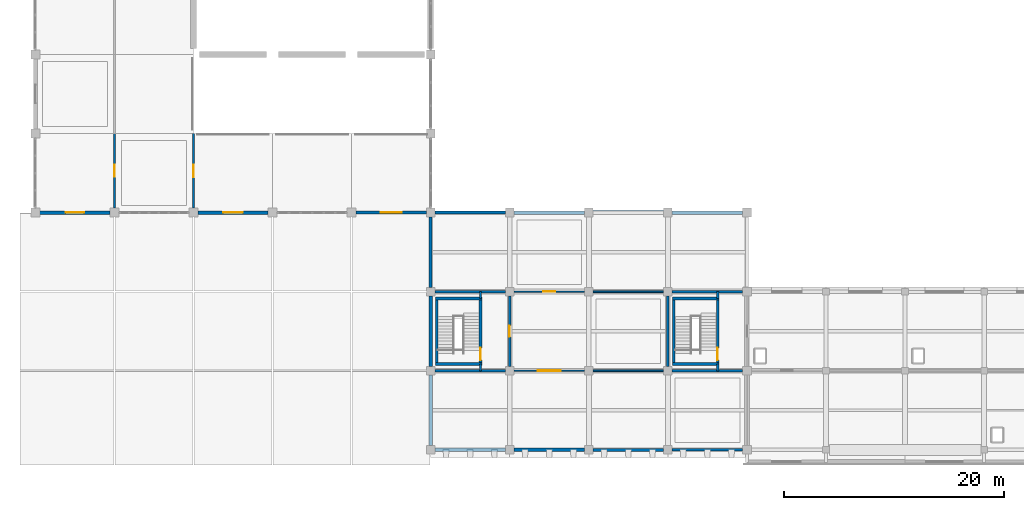
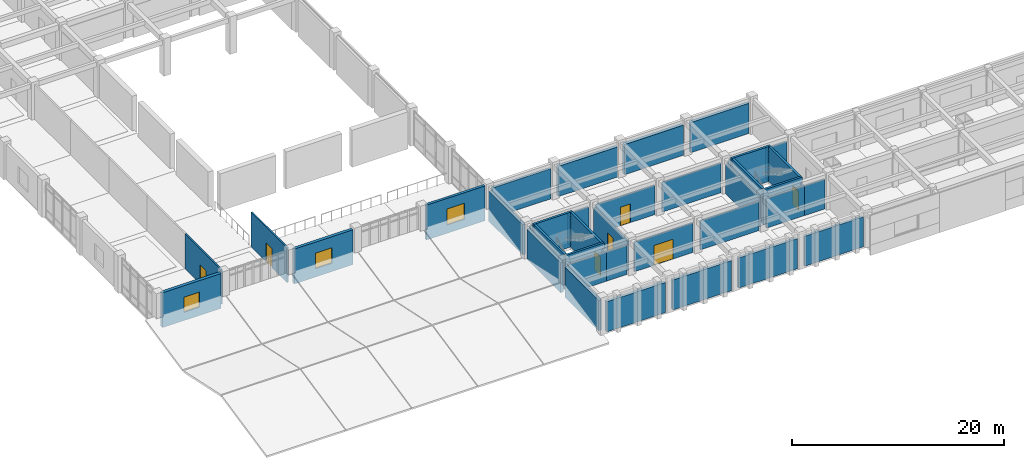
# One storey, part 50 of 70: 42 walls, 7 doors, 3 windows, 10 openings.
"""IFC4 building model written with IfcOpenShell, lengths in metres."""

from ifc_helpers import new_model, si_unit, direction, frame, frame_2d, origin, place, context, subcontext, project, spatial, rectangle, extrude, material, layer, layer_set, type_object, element, fill, save


model = new_model("IFC4")

# Units and contexts
model_context = context("Model", 3, precision=1e-05, world=origin(), true_north=direction((0.0, 1.0)))
body_context = subcontext(model_context, "Body", "Model", "MODEL_VIEW")
ifc_project = project(units=[si_unit("LENGTHUNIT", "METRE"), si_unit("AREAUNIT", "SQUARE_METRE"), si_unit("VOLUMEUNIT", "CUBIC_METRE"), si_unit("PLANEANGLEUNIT", "RADIAN"), si_unit("MASSUNIT", "GRAM", prefix="KILO")], contexts=[model_context])

# Site, building, storey
site_placement = place(None, origin())
site = spatial("IfcSite", under=ifc_project, at=site_placement, CompositionType="ELEMENT")
building_placement = place(site_placement, origin())
building = spatial("IfcBuilding", under=site, at=building_placement, Name="Kavelor Marine Aquarium", CompositionType="ELEMENT")
storey_placement = place(building_placement, frame((0.0, 0.0, 9.179931640625)))
storey = spatial("IfcBuildingStorey", under=building, at=storey_placement, Name="L02", CompositionType="ELEMENT", Elevation=9.179931640625)

# Wall
ifc_material_1 = material(Name="Concrete C45/55", Category="concrete")
ifc_layer_1 = layer(ifc_material_1, 0.360107421875)
ifc_layer_set_1 = layer_set([ifc_layer_1], Name="WL-EX1")
wall_type_1 = type_object("IfcWallType", Name="WL-EX1", PredefinedType="STANDARD", material=ifc_layer_set_1)
wall_1_placement = place(storey_placement, frame((53.9951171875, 24.39990234375, 0.0), z_axis=(0.0, 0.0, 1.0), x_axis=(1.0, 0.0, 0.0)))
element("IfcWall", 1, at=wall_1_placement, inside=storey, type_object=wall_type_1, Name="ew:x:L02:07_03", PredefinedType="STANDARD", context=body_context, shape_type="SweptSolid", body=[
    extrude(rectangle(XDim=6.409912109375, YDim=0.360107421875, at=frame_2d((3.205078125, 0.0))), origin(), (0.0, 0.0, 1.0), 3.47998046875),
])

# Wall, opening, window
ifc_material_2 = material(Name="Concrete C45/55", Category="concrete")
ifc_layer_2 = layer(ifc_material_2, 0.320068359375)
ifc_layer_set_2 = layer_set([ifc_layer_2], Name="WL-EX2")
wall_type_2 = type_object("IfcWallType", Name="WL-EX2", PredefinedType="STANDARD", material=ifc_layer_set_2)
wall_2_placement = place(storey_placement, frame((24.405029296875, 24.39990234375, 0.0), z_axis=(0.0, 0.0, 1.0), x_axis=(-1.0, 0.0, 0.0)))
wall_2 = element("IfcWall", 2, at=wall_2_placement, inside=storey, type_object=wall_type_2, Name="ew:x:L02:02_03", PredefinedType="STANDARD", context=body_context, shape_type="SweptSolid", body=[
    extrude(rectangle(XDim=6.409912109375, YDim=0.320068359375, at=frame_2d((3.205078125, 0.0))), origin(), (0.0, 0.0, 1.0), 4.02001953125),
])
opening_1_placement = place(wall_2_placement, frame((2.304931640625, 0.0, 0.949951171875)))
opening_1 = element("IfcOpeningElement", 3, at=opening_1_placement, cuts=wall_2, Name="Opening W08", PredefinedType="OPENING", context=body_context, shape_type="SweptSolid", body=[
    extrude(rectangle(XDim=1.800048828125, YDim=1.800048828125, at=frame_2d((0.89990234375, 0.89990234375))), frame((0.0, 0.169921875, 0.0), z_axis=(0.0, -1.0, 0.0), x_axis=(1.0, 0.0, 0.0)), (0.0, 0.0, 1.0), 0.340068),
])
ifc_material_3 = material(Name="Anodised Aluminium Frame with Low-E Double Glazing", Category="aluminium")
window_type_1 = type_object("IfcWindowType", Name="WIN-W08", PartitioningType="DOUBLE_PANEL_VERTICAL", PredefinedType="WINDOW", material=ifc_material_3)
window_1_placement = place(opening_1_placement, origin())
window_1 = element("IfcWindow", 4, at=window_1_placement, inside=storey, type_object=window_type_1, Name="win:x:L02:02_03", OverallHeight=1.800048828125, OverallWidth=1.800048828125, PartitioningType="SINGLE_PANEL", PredefinedType="WINDOW", context=body_context, shape_type="SweptSolid", body=[
    extrude(rectangle(XDim=1.800048828125, YDim=1.800048828125, at=frame_2d((0.89990234375, 0.89990234375))), frame((0.0, 0.030029296875, 0.0), z_axis=(0.0, -1.0, 0.0), x_axis=(1.0, 0.0, 0.0)), (0.0, 0.0, 1.0), 0.06005859375),
])
fill(opening_1, window_1)

# Walls
for number, where, z_axis, x_axis, name in (
    (5, (46.0048828125, 2.800048828125, 0.0), (0.0, 0.0, 1.0), (-1.0, 0.0, 0.0), "ew:x:L02:05_00"),
    (6, (61.195068359375, 24.39990234375, 0.0), (0.0, 0.0, 1.0), (1.0, 0.0, 0.0), "ew:x:L02:08_03"),
    (7, (39.199951171875, 3.195068359375, 0.0), (0.0, 0.0, 1.0), (0.0, 1.0, 0.0), "ew:y:L02:05_00"),
):
    element("IfcWall", number, at=place(storey_placement, frame(where, z_axis=z_axis, x_axis=x_axis)), inside=storey, type_object=wall_type_2, Name=name, PredefinedType="STANDARD", context=body_context, shape_type="SweptSolid", body=[
        extrude(rectangle(XDim=6.409912109375, YDim=0.320068359375, at=frame_2d((3.205078125, 0.0))), origin(), (0.0, 0.0, 1.0), 3.47998046875),
    ])
ifc_material_4 = material(Name="Concrete C40/50", Category="concrete")
ifc_layer_3 = layer(ifc_material_4, 0.300048828125)
ifc_layer_set_3 = layer_set([ifc_layer_3], Name="WL-EX3")
wall_type_3 = type_object("IfcWallType", Name="WL-EX3", PredefinedType="STANDARD", material=ifc_layer_set_3)
wall_3_placement = place(storey_placement, frame((53.205078125, 2.800048828125, 0.0), z_axis=(0.0, 0.0, 1.0), x_axis=(-1.0, 0.0, 0.0)))
element("IfcWall", 8, at=wall_3_placement, inside=storey, type_object=wall_type_3, Name="ew:x:L02:06_00", PredefinedType="STANDARD", context=body_context, shape_type="SweptSolid", body=[
    extrude(rectangle(XDim=6.41015625, YDim=0.300048828125, at=frame_2d((3.205078125, 0.0))), origin(), (0.0, 0.0, 1.0), 3.4599609375),
])
wall_4_placement = place(storey_placement, frame((39.199951171875, 10.39501953125, 0.0), z_axis=(0.0, 0.0, 1.0), x_axis=(0.0, 1.0, 0.0)))
element("IfcWall", 9, at=wall_4_placement, inside=storey, type_object=wall_type_3, Name="ew:y:L02:05_01", PredefinedType="STANDARD", context=body_context, shape_type="SweptSolid", body=[
    extrude(rectangle(XDim=6.409912109375, YDim=0.300048828125, at=frame_2d((3.205078125, 0.0))), origin(), (0.0, 0.0, 1.0), 3.4599609375),
])

# Wall, opening, window
ifc_material_5 = material(Name="Concrete C40/50", Category="concrete")
ifc_layer_4 = layer(ifc_material_5, 0.280029296875)
ifc_layer_set_4 = layer_set([ifc_layer_4], Name="WL-EX4")
wall_type_4 = type_object("IfcWallType", Name="WL-EX4", PredefinedType="STANDARD", material=ifc_layer_set_4)
wall_5_placement = place(storey_placement, frame((38.804931640625, 24.39990234375, 0.0), z_axis=(0.0, 0.0, 1.0), x_axis=(-1.0, 0.0, 0.0)))
wall_5 = element("IfcWall", 10, at=wall_5_placement, inside=storey, type_object=wall_type_4, Name="ew:x:L02:04_03", PredefinedType="STANDARD", context=body_context, shape_type="SweptSolid", body=[
    extrude(rectangle(XDim=6.409912109375, YDim=0.280029296875, at=frame_2d((3.205078125, 0.0))), origin(), (0.0, 0.0, 1.0), 4.02001953125),
])
opening_2_placement = place(wall_5_placement, frame((2.2548828125, 0.0, 0.949951171875)))
opening_2 = element("IfcOpeningElement", 11, at=opening_2_placement, cuts=wall_5, Name="Opening W09", PredefinedType="OPENING", context=body_context, shape_type="SweptSolid", body=[
    extrude(rectangle(XDim=1.89990234375, YDim=1.85009765625, at=frame_2d((0.949951171875, 0.925048828125))), frame((0.0, 0.14990234375, 0.0), z_axis=(0.0, -1.0, 0.0), x_axis=(1.0, 0.0, 0.0)), (0.0, 0.0, 1.0), 0.300029),
])
ifc_material_6 = material(Name="Anodised Aluminium Frame with Low-E Double Glazing", Category="aluminium")
window_type_2 = type_object("IfcWindowType", Name="WIN-W09", PartitioningType="DOUBLE_PANEL_VERTICAL", PredefinedType="WINDOW", material=ifc_material_6)
window_2_placement = place(opening_2_placement, origin())
window_2 = element("IfcWindow", 12, at=window_2_placement, inside=storey, type_object=window_type_2, Name="win:x:L02:04_03", OverallHeight=1.85009765625, OverallWidth=1.89990234375, PartitioningType="SINGLE_PANEL", PredefinedType="WINDOW", context=body_context, shape_type="SweptSolid", body=[
    extrude(rectangle(XDim=1.89990234375, YDim=1.85009765625, at=frame_2d((0.949951171875, 0.925048828125))), frame((0.0, 0.030029296875, 0.0), z_axis=(0.0, -1.0, 0.0), x_axis=(1.0, 0.0, 0.0)), (0.0, 0.0, 1.0), 0.06005859375),
])
fill(opening_2, window_2)

# Walls
for number, where, z_axis, x_axis, name in (
    (13, (60.405029296875, 2.800048828125, 0.0), (0.0, 0.0, 1.0), (-1.0, 0.0, 0.0), "ew:x:L02:07_00"),
    (14, (39.199951171875, 17.594970703125, 0.0), (0.0, 0.0, 1.0), (0.0, 1.0, 0.0), "ew:y:L02:05_02"),
):
    element("IfcWall", number, at=place(storey_placement, frame(where, z_axis=z_axis, x_axis=x_axis)), inside=storey, type_object=wall_type_4, Name=name, PredefinedType="STANDARD", context=body_context, shape_type="SweptSolid", body=[
        extrude(rectangle(XDim=6.409912109375, YDim=0.280029296875, at=frame_2d((3.205078125, 0.0))), origin(), (0.0, 0.0, 1.0), 3.47998046875),
    ])
ifc_material_7 = material(Name="Concrete C40/50", Category="concrete")
ifc_layer_5 = layer(ifc_material_7, 0.260009765625)
ifc_layer_set_5 = layer_set([ifc_layer_5], Name="WL-EX5")
wall_type_5 = type_object("IfcWallType", Name="WL-EX5", PredefinedType="STANDARD", material=ifc_layer_set_5)
wall_6_placement = place(storey_placement, frame((39.594970703125, 24.39990234375, 0.0), z_axis=(0.0, 0.0, 1.0), x_axis=(1.0, 0.0, 0.0)))
element("IfcWall", 15, at=wall_6_placement, inside=storey, type_object=wall_type_5, Name="ew:x:L02:05_03", PredefinedType="STANDARD", context=body_context, shape_type="SweptSolid", body=[
    extrude(rectangle(XDim=6.409912109375, YDim=0.260009765625, at=frame_2d((3.205078125, 0.0))), origin(), (0.0, 0.0, 1.0), 3.47998046875),
])
wall_7_placement = place(storey_placement, frame((67.60498046875, 2.800048828125, 0.0), z_axis=(0.0, 0.0, 1.0), x_axis=(-1.0, 0.0, 0.0)))
element("IfcWall", 16, at=wall_7_placement, inside=storey, type_object=wall_type_5, Name="ew:x:L02:08_00", PredefinedType="STANDARD", context=body_context, shape_type="SweptSolid", body=[
    extrude(rectangle(XDim=6.409912109375, YDim=0.260009765625, at=frame_2d((3.205078125, 0.0))), origin(), (0.0, 0.0, 1.0), 3.4599609375),
])

# Wall, opening, window
ifc_material_8 = material(Name="Concrete C45/55", Category="concrete")
ifc_layer_6 = layer(ifc_material_8, 0.340087890625)
ifc_layer_set_6 = layer_set([ifc_layer_6], Name="WL-EX6")
wall_type_6 = type_object("IfcWallType", Name="WL-EX6", PredefinedType="STANDARD", material=ifc_layer_set_6)
wall_8_placement = place(storey_placement, frame((10.0048828125, 24.39990234375, 0.0), z_axis=(0.0, 0.0, 1.0), x_axis=(-1.0, 0.0, 0.0)))
wall_8 = element("IfcWall", 17, at=wall_8_placement, inside=storey, type_object=wall_type_6, Name="ew:x:L02:00_03", PredefinedType="STANDARD", context=body_context, shape_type="SweptSolid", body=[
    extrude(rectangle(XDim=6.409912109375, YDim=0.340087890625, at=frame_2d((3.205078125, 0.0))), origin(), (0.0, 0.0, 1.0), 4.02001953125),
])
opening_3_placement = place(wall_8_placement, frame((2.35498046875, 0.0, 0.949951171875)))
opening_3 = element("IfcOpeningElement", 18, at=opening_3_placement, cuts=wall_8, Name="Opening W07", PredefinedType="OPENING", context=body_context, shape_type="SweptSolid", body=[
    extrude(rectangle(XDim=1.699951171875, YDim=1.75, at=frame_2d((0.85009765625, 0.875))), frame((0.0, 0.179931640625, 0.0), z_axis=(0.0, -1.0, 0.0), x_axis=(1.0, 0.0, 0.0)), (0.0, 0.0, 1.0), 0.360088),
])
ifc_material_9 = material(Name="Anodised Aluminium Frame with Low-E Double Glazing", Category="aluminium")
window_type_3 = type_object("IfcWindowType", Name="WIN-W07", PartitioningType="SINGLE_PANEL", PredefinedType="WINDOW", material=ifc_material_9)
window_3_placement = place(opening_3_placement, origin())
window_3 = element("IfcWindow", 19, at=window_3_placement, inside=storey, type_object=window_type_3, Name="win:x:L02:00_03", OverallHeight=1.75, OverallWidth=1.699951171875, PartitioningType="SINGLE_PANEL", PredefinedType="WINDOW", context=body_context, shape_type="SweptSolid", body=[
    extrude(rectangle(XDim=1.699951171875, YDim=1.75, at=frame_2d((0.85009765625, 0.875))), frame((0.0, 0.030029296875, 0.0), z_axis=(0.0, -1.0, 0.0), x_axis=(1.0, 0.0, 0.0)), (0.0, 0.0, 1.0), 0.06005859375),
])
fill(opening_3, window_3)

# Walls
wall_9_placement = place(storey_placement, frame((46.794921875, 24.39990234375, 0.0), z_axis=(0.0, 0.0, 1.0), x_axis=(1.0, 0.0, 0.0)))
element("IfcWall", 20, at=wall_9_placement, inside=storey, type_object=wall_type_6, Name="ew:x:L02:06_03", PredefinedType="STANDARD", context=body_context, shape_type="SweptSolid", body=[
    extrude(rectangle(XDim=6.41015625, YDim=0.340087890625, at=frame_2d((3.205078125, 0.0))), origin(), (0.0, 0.0, 1.0), 3.47998046875),
])
ifc_material_10 = material(Name="Concrete Blockwork Partition", Category="masonry")
ifc_layer_7 = layer(ifc_material_10, 0.199951171875)
ifc_layer_set_7 = layer_set([ifc_layer_7], Name="WL-PT1")
wall_type_7 = type_object("IfcWallType", Name="WL-PT1", PredefinedType="PARTITIONING", material=ifc_layer_set_7)
wall_10_placement = place(storey_placement, frame((43.739990234375, 10.0, 0.0), z_axis=(0.0, 0.0, 1.0), x_axis=(0.0, 1.0, 0.0)))
element("IfcWall", 21, at=wall_10_placement, inside=storey, type_object=wall_type_7, Name="pt:st_close:s:C04:L02", PredefinedType="PARTITIONING", context=body_context, shape_type="SweptSolid", body=[
    extrude(rectangle(XDim=0.6201171875, YDim=0.199951171875, at=frame_2d((0.31005859375, 0.0))), origin(), (0.0, 0.0, 1.0), 3.360107421875),
])
wall_11_placement = place(storey_placement, frame((43.739990234375, 16.580078125, 0.0), z_axis=(0.0, 0.0, 1.0), x_axis=(0.0, 1.0, 0.0)))
element("IfcWall", 22, at=wall_11_placement, inside=storey, type_object=wall_type_7, Name="pt:st_close:n:C04:L02", PredefinedType="PARTITIONING", context=body_context, shape_type="SweptSolid", body=[
    extrude(rectangle(XDim=0.619873046875, YDim=0.199951171875, at=frame_2d((0.31005859375, 0.0))), origin(), (0.0, 0.0, 1.0), 3.41015625),
])

# Wall, opening, door
wall_12_placement = place(storey_placement, frame((46.39990234375, 10.39990234375, 0.0), z_axis=(0.0, 0.0, 1.0), x_axis=(0.0, 1.0, 0.0)))
wall_12 = element("IfcWall", 23, at=wall_12_placement, inside=storey, type_object=wall_type_7, Name="pt:lob:C04:L02:e", PredefinedType="PARTITIONING", context=body_context, shape_type="SweptSolid", body=[
    extrude(rectangle(XDim=6.400146484375, YDim=0.199951171875, at=frame_2d((3.2001953125, 0.0))), origin(), (0.0, 0.0, 1.0), 3.41015625),
])
opening_4_placement = place(wall_12_placement, frame((2.68994140625, 0.0, 0.0)))
opening_4 = element("IfcOpeningElement", 24, at=opening_4_placement, cuts=wall_12, Name="Opening SD1", PredefinedType="OPENING", context=body_context, shape_type="SweptSolid", body=[
    extrude(rectangle(XDim=1.02001953125, YDim=2.14990234375, at=frame_2d((0.510009765625, 1.074951171875))), frame((0.0, 0.10986328125, 0.0), z_axis=(0.0, -1.0, 0.0), x_axis=(1.0, 0.0, 0.0)), (0.0, 0.0, 1.0), 0.219951),
])
ifc_material_11 = material(Name="Fire-Rated Corridor Compartment Door")
door_type_1 = type_object("IfcDoorType", Name="DR-SD1", OperationType="NOTDEFINED", PredefinedType="DOOR", material=ifc_material_11)
door_1_placement = place(opening_4_placement, origin())
door_1 = element("IfcDoor", 25, at=door_1_placement, inside=storey, type_object=door_type_1, Name="Core Lobby Fire Door C04-L02", OperationType="SINGLE_SWING_RIGHT", OverallHeight=2.14990234375, OverallWidth=1.02001953125, PredefinedType="DOOR", context=body_context, shape_type="SweptSolid", body=[
    extrude(rectangle(XDim=1.02001953125, YDim=2.14990234375, at=frame_2d((0.510009765625, 1.074951171875))), frame((0.0, 0.02490234375, 0.0), z_axis=(0.0, -1.0, 0.0), x_axis=(1.0, 0.0, 0.0)), (0.0, 0.0, 1.0), 0.050048828125),
])
fill(opening_4, door_1)

# Walls
wall_13_placement = place(storey_placement, frame((39.60009765625, 10.0, 0.0), z_axis=(0.0, 0.0, 1.0), x_axis=(1.0, 0.0, 0.0)))
element("IfcWall", 26, at=wall_13_placement, inside=storey, type_object=wall_type_7, Name="pt:lob:C04:L02:s_st", PredefinedType="PARTITIONING", context=body_context, shape_type="SweptSolid", body=[
    extrude(rectangle(XDim=4.139892578125, YDim=0.199951171875, at=frame_2d((2.06982421875, 0.0))), origin(), (0.0, 0.0, 1.0), 3.360107421875),
])
wall_14_placement = place(storey_placement, frame((43.739990234375, 10.0, 0.0), z_axis=(0.0, 0.0, 1.0), x_axis=(1.0, 0.0, 0.0)))
element("IfcWall", 27, at=wall_14_placement, inside=storey, type_object=wall_type_7, Name="pt:lob:C04:L02:s", PredefinedType="PARTITIONING", context=body_context, shape_type="SweptSolid", body=[
    extrude(rectangle(XDim=2.260009765625, YDim=0.199951171875, at=frame_2d((1.1298828125, 0.0))), origin(), (0.0, 0.0, 1.0), 3.360107421875),
])
wall_15_placement = place(storey_placement, frame((39.60009765625, 17.199951171875, 0.0), z_axis=(0.0, 0.0, 1.0), x_axis=(1.0, 0.0, 0.0)))
element("IfcWall", 28, at=wall_15_placement, inside=storey, type_object=wall_type_7, Name="pt:lob:C04:L02:n_st", PredefinedType="PARTITIONING", context=body_context, shape_type="SweptSolid", body=[
    extrude(rectangle(XDim=4.139892578125, YDim=0.199951171875, at=frame_2d((2.06982421875, 0.0))), origin(), (0.0, 0.0, 1.0), 3.41015625),
])
wall_16_placement = place(storey_placement, frame((43.739990234375, 17.199951171875, 0.0), z_axis=(0.0, 0.0, 1.0), x_axis=(1.0, 0.0, 0.0)))
element("IfcWall", 29, at=wall_16_placement, inside=storey, type_object=wall_type_7, Name="pt:lob:C04:L02:n", PredefinedType="PARTITIONING", context=body_context, shape_type="SweptSolid", body=[
    extrude(rectangle(XDim=2.260009765625, YDim=0.199951171875, at=frame_2d((1.1298828125, 0.0))), origin(), (0.0, 0.0, 1.0), 3.41015625),
])
wall_17_placement = place(storey_placement, frame((65.340087890625, 10.0, 0.0), z_axis=(0.0, 0.0, 1.0), x_axis=(0.0, 1.0, 0.0)))
element("IfcWall", 30, at=wall_17_placement, inside=storey, type_object=wall_type_7, Name="pt:st_close:s:C12:L02", PredefinedType="PARTITIONING", context=body_context, shape_type="SweptSolid", body=[
    extrude(rectangle(XDim=0.6201171875, YDim=0.199951171875, at=frame_2d((0.31005859375, 0.0))), origin(), (0.0, 0.0, 1.0), 3.41015625),
])
wall_18_placement = place(storey_placement, frame((65.340087890625, 16.580078125, 0.0), z_axis=(0.0, 0.0, 1.0), x_axis=(0.0, 1.0, 0.0)))
element("IfcWall", 31, at=wall_18_placement, inside=storey, type_object=wall_type_7, Name="pt:st_close:n:C12:L02", PredefinedType="PARTITIONING", context=body_context, shape_type="SweptSolid", body=[
    extrude(rectangle(XDim=0.619873046875, YDim=0.199951171875, at=frame_2d((0.31005859375, 0.0))), origin(), (0.0, 0.0, 1.0), 3.380126953125),
])
wall_19_placement = place(storey_placement, frame((60.800048828125, 10.39990234375, 0.0), z_axis=(0.0, 0.0, 1.0), x_axis=(0.0, 1.0, 0.0)))
element("IfcWall", 32, at=wall_19_placement, inside=storey, type_object=wall_type_7, Name="pt:lob:C12:L02:w", PredefinedType="PARTITIONING", context=body_context, shape_type="SweptSolid", body=[
    extrude(rectangle(XDim=6.400146484375, YDim=0.199951171875, at=frame_2d((3.2001953125, 0.0))), origin(), (0.0, 0.0, 1.0), 3.41015625),
])
wall_20_placement = place(storey_placement, frame((61.199951171875, 10.0, 0.0), z_axis=(0.0, 0.0, 1.0), x_axis=(1.0, 0.0, 0.0)))
element("IfcWall", 33, at=wall_20_placement, inside=storey, type_object=wall_type_7, Name="pt:lob:C12:L02:s_st", PredefinedType="PARTITIONING", context=body_context, shape_type="SweptSolid", body=[
    extrude(rectangle(XDim=4.14013671875, YDim=0.199951171875, at=frame_2d((2.070068359375, 0.0))), origin(), (0.0, 0.0, 1.0), 3.41015625),
])
wall_21_placement = place(storey_placement, frame((65.340087890625, 10.0, 0.0), z_axis=(0.0, 0.0, 1.0), x_axis=(1.0, 0.0, 0.0)))
element("IfcWall", 34, at=wall_21_placement, inside=storey, type_object=wall_type_7, Name="pt:lob:C12:L02:s", PredefinedType="PARTITIONING", context=body_context, shape_type="SweptSolid", body=[
    extrude(rectangle(XDim=2.260009765625, YDim=0.199951171875, at=frame_2d((1.1298828125, 0.0))), origin(), (0.0, 0.0, 1.0), 3.41015625),
])
wall_22_placement = place(storey_placement, frame((61.199951171875, 17.199951171875, 0.0), z_axis=(0.0, 0.0, 1.0), x_axis=(1.0, 0.0, 0.0)))
element("IfcWall", 35, at=wall_22_placement, inside=storey, type_object=wall_type_7, Name="pt:lob:C12:L02:n_st", PredefinedType="PARTITIONING", context=body_context, shape_type="SweptSolid", body=[
    extrude(rectangle(XDim=4.14013671875, YDim=0.199951171875, at=frame_2d((2.070068359375, 0.0))), origin(), (0.0, 0.0, 1.0), 3.380126953125),
])
wall_23_placement = place(storey_placement, frame((65.340087890625, 17.199951171875, 0.0), z_axis=(0.0, 0.0, 1.0), x_axis=(1.0, 0.0, 0.0)))
element("IfcWall", 36, at=wall_23_placement, inside=storey, type_object=wall_type_7, Name="pt:lob:C12:L02:n", PredefinedType="PARTITIONING", context=body_context, shape_type="SweptSolid", body=[
    extrude(rectangle(XDim=2.260009765625, YDim=0.199951171875, at=frame_2d((1.1298828125, 0.0))), origin(), (0.0, 0.0, 1.0), 3.380126953125),
])

# Wall, opening, door
ifc_material_12 = material(Name="Acoustic Gypsum Stud Partition")
ifc_layer_8 = layer(ifc_material_12, 0.159912109375)
ifc_layer_set_8 = layer_set([ifc_layer_8], Name="WL-PT2")
wall_type_8 = type_object("IfcWallType", Name="WL-PT2", PredefinedType="PARTITIONING", material=ifc_layer_set_8)
wall_24_placement = place(storey_placement, frame((10.39990234375, 24.800048828125, 0.0), z_axis=(0.0, 0.0, 1.0), x_axis=(0.0, 1.0, 0.0)))
wall_24 = element("IfcWall", 37, at=wall_24_placement, inside=storey, type_object=wall_type_8, Name="pt:y:L02:00_03", PredefinedType="PARTITIONING", context=body_context, shape_type="SweptSolid", body=[
    extrude(rectangle(XDim=6.800048828125, YDim=0.159912109375, at=frame_2d((3.39990234375, 0.0))), origin(), (0.0, 0.0, 1.0), 4.0),
])
opening_5_placement = place(wall_24_placement, frame((2.860107421875, 0.0, 0.0)))
opening_5 = element("IfcOpeningElement", 38, at=opening_5_placement, cuts=wall_24, Name="Opening D08", PredefinedType="OPENING", context=body_context, shape_type="SweptSolid", body=[
    extrude(rectangle(XDim=1.080078125, YDim=2.159912109375, at=frame_2d((0.5400390625, 1.080078125))), frame((0.0, 0.08984375, 0.0), z_axis=(0.0, -1.0, 0.0), x_axis=(1.0, 0.0, 0.0)), (0.0, 0.0, 1.0), 0.179912),
])
ifc_material_13 = material(Name="Discovery Wet Lab Vision Door")
door_type_2 = type_object("IfcDoorType", Name="DR-D08", OperationType="NOTDEFINED", PredefinedType="DOOR", material=ifc_material_13)
door_2_placement = place(opening_5_placement, origin())
door_2 = element("IfcDoor", 39, at=door_2_placement, inside=storey, type_object=door_type_2, Name="dr:rm:pt:y:L02:00_03:0", OperationType="SINGLE_SWING_LEFT", OverallHeight=2.159912109375, OverallWidth=1.080078125, PredefinedType="DOOR", context=body_context, shape_type="SweptSolid", body=[
    extrude(rectangle(XDim=1.080078125, YDim=2.159912109375, at=frame_2d((0.5400390625, 1.080078125))), frame((0.0, 0.02490234375, 0.0), z_axis=(0.0, -1.0, 0.0), x_axis=(1.0, 0.0, 0.0)), (0.0, 0.0, 1.0), 0.050048828125),
])
fill(opening_5, door_2)

wall_25_placement = place(storey_placement, frame((17.60009765625, 24.800048828125, 0.0), z_axis=(0.0, 0.0, 1.0), x_axis=(0.0, 1.0, 0.0)))
wall_25 = element("IfcWall", 40, at=wall_25_placement, inside=storey, type_object=wall_type_8, Name="pt:y:L02:01_03", PredefinedType="PARTITIONING", context=body_context, shape_type="SweptSolid", body=[
    extrude(rectangle(XDim=6.800048828125, YDim=0.159912109375, at=frame_2d((3.39990234375, 0.0))), origin(), (0.0, 0.0, 1.0), 4.0),
])
opening_6_placement = place(wall_25_placement, frame((2.820068359375, 0.0, 0.0)))
opening_6 = element("IfcOpeningElement", 41, at=opening_6_placement, cuts=wall_25, Name="Opening D09", PredefinedType="OPENING", context=body_context, shape_type="SweptSolid", body=[
    extrude(rectangle(XDim=1.159912109375, YDim=2.179931640625, at=frame_2d((0.580078125, 1.08984375))), frame((0.0, 0.08984375, 0.0), z_axis=(0.0, -1.0, 0.0), x_axis=(1.0, 0.0, 0.0)), (0.0, 0.0, 1.0), 0.179912),
])
ifc_material_14 = material(Name="Husbandry Prep Marine Door")
door_type_3 = type_object("IfcDoorType", Name="DR-D09", OperationType="NOTDEFINED", PredefinedType="DOOR", material=ifc_material_14)
door_3_placement = place(opening_6_placement, origin())
door_3 = element("IfcDoor", 42, at=door_3_placement, inside=storey, type_object=door_type_3, Name="dr:rm:pt:y:L02:01_03:0", OperationType="SINGLE_SWING_RIGHT", OverallHeight=2.179931640625, OverallWidth=1.159912109375, PredefinedType="DOOR", context=body_context, shape_type="SweptSolid", body=[
    extrude(rectangle(XDim=1.159912109375, YDim=2.179931640625, at=frame_2d((0.580078125, 1.08984375))), frame((0.0, 0.02490234375, 0.0), z_axis=(0.0, -1.0, 0.0), x_axis=(1.0, 0.0, 0.0)), (0.0, 0.0, 1.0), 0.050048828125),
])
fill(opening_6, door_3)

wall_26_placement = place(storey_placement, frame((46.800048828125, 10.0, 0.0), z_axis=(0.0, 0.0, 1.0), x_axis=(1.0, 0.0, 0.0)))
wall_26 = element("IfcWall", 43, at=wall_26_placement, inside=storey, type_object=wall_type_8, Name="pt:x:L02:06_00", PredefinedType="PARTITIONING", context=body_context, shape_type="SweptSolid", body=[
    extrude(rectangle(XDim=6.39990234375, YDim=0.159912109375, at=frame_2d((3.199951171875, 0.0))), origin(), (0.0, 0.0, 1.0), 3.41015625),
])
opening_7_placement = place(wall_26_placement, frame((2.169921875, 0.0, 0.0)))
opening_7 = element("IfcOpeningElement", 44, at=opening_7_placement, cuts=wall_26, Name="Opening D14", PredefinedType="OPENING", context=body_context, shape_type="SweptSolid", body=[
    extrude(rectangle(XDim=2.06005859375, YDim=2.280029296875, at=frame_2d((1.030029296875, 1.14013671875))), frame((0.0, 0.08984375, 0.0), z_axis=(0.0, -1.0, 0.0), x_axis=(1.0, 0.0, 0.0)), (0.0, 0.0, 1.0), 0.179912),
])
ifc_material_15 = material(Name="LSS Filtration Equipment Double Door")
door_type_4 = type_object("IfcDoorType", Name="DR-D14", OperationType="NOTDEFINED", PredefinedType="DOOR", material=ifc_material_15)
door_4_placement = place(opening_7_placement, origin())
door_4 = element("IfcDoor", 45, at=door_4_placement, inside=storey, type_object=door_type_4, Name="dr:rm:pt:x:L02:06_00:0", OperationType="DOUBLE_DOOR_SINGLE_SWING", OverallHeight=2.280029296875, OverallWidth=2.06005859375, PredefinedType="DOOR", context=body_context, shape_type="SweptSolid", body=[
    extrude(rectangle(XDim=2.06005859375, YDim=2.280029296875, at=frame_2d((1.030029296875, 1.14013671875))), frame((0.0, 0.02490234375, 0.0), z_axis=(0.0, -1.0, 0.0), x_axis=(1.0, 0.0, 0.0)), (0.0, 0.0, 1.0), 0.050048828125),
])
fill(opening_7, door_4)

wall_27_placement = place(storey_placement, frame((46.800048828125, 17.199951171875, 0.0), z_axis=(0.0, 0.0, 1.0), x_axis=(1.0, 0.0, 0.0)))
wall_27 = element("IfcWall", 46, at=wall_27_placement, inside=storey, type_object=wall_type_8, Name="pt:x:L02:06_01", PredefinedType="PARTITIONING", context=body_context, shape_type="SweptSolid", body=[
    extrude(rectangle(XDim=6.39990234375, YDim=0.159912109375, at=frame_2d((3.199951171875, 0.0))), origin(), (0.0, 0.0, 1.0), 3.380126953125),
])
opening_8_placement = place(wall_27_placement, frame((2.659912109375, 0.0, 0.0)))
opening_8 = element("IfcOpeningElement", 47, at=opening_8_placement, cuts=wall_27, Name="Opening D08", PredefinedType="OPENING", context=body_context, shape_type="SweptSolid", body=[
    extrude(rectangle(XDim=1.080078125, YDim=2.159912109375, at=frame_2d((0.5400390625, 1.080078125))), frame((0.0, 0.08984375, 0.0), z_axis=(0.0, -1.0, 0.0), x_axis=(1.0, 0.0, 0.0)), (0.0, 0.0, 1.0), 0.179912),
])
door_5_placement = place(opening_8_placement, origin())
door_5 = element("IfcDoor", 48, at=door_5_placement, inside=storey, type_object=door_type_2, Name="dr:rm:pt:x:L02:06_01:0", OperationType="SINGLE_SWING_LEFT", OverallHeight=2.159912109375, OverallWidth=1.080078125, PredefinedType="DOOR", context=body_context, shape_type="SweptSolid", body=[
    extrude(rectangle(XDim=1.080078125, YDim=2.159912109375, at=frame_2d((0.5400390625, 1.080078125))), frame((0.0, 0.02490234375, 0.0), z_axis=(0.0, -1.0, 0.0), x_axis=(1.0, 0.0, 0.0)), (0.0, 0.0, 1.0), 0.050048828125),
])
fill(opening_8, door_5)

# Walls
wall_28_placement = place(storey_placement, frame((54.0, 10.0, 0.0), z_axis=(0.0, 0.0, 1.0), x_axis=(1.0, 0.0, 0.0)))
element("IfcWall", 49, at=wall_28_placement, inside=storey, type_object=wall_type_8, Name="pt:x:L02:07_00", PredefinedType="PARTITIONING", context=body_context, shape_type="SweptSolid", body=[
    extrude(rectangle(XDim=6.39990234375, YDim=0.159912109375, at=frame_2d((3.199951171875, 0.0))), origin(), (0.0, 0.0, 1.0), 3.360107421875),
])
wall_29_placement = place(storey_placement, frame((54.0, 17.199951171875, 0.0), z_axis=(0.0, 0.0, 1.0), x_axis=(1.0, 0.0, 0.0)))
element("IfcWall", 50, at=wall_29_placement, inside=storey, type_object=wall_type_8, Name="pt:x:L02:07_01", PredefinedType="PARTITIONING", context=body_context, shape_type="SweptSolid", body=[
    extrude(rectangle(XDim=6.39990234375, YDim=0.159912109375, at=frame_2d((3.199951171875, 0.0))), origin(), (0.0, 0.0, 1.0), 3.41015625),
])
ifc_material_16 = material(Name="Concrete C40/50", Category="concrete")
ifc_layer_9 = layer(ifc_material_16, 0.35009765625)
ifc_layer_set_9 = layer_set([ifc_layer_9], Name="WL-SW2")
wall_type_9 = type_object("IfcWallType", Name="WL-SW2", PredefinedType="SHEAR", material=ifc_layer_set_9)
for number, where, z_axis, x_axis, name in (
    (51, (39.6201171875, 10.6201171875, 0.0), (0.0, 0.0, 1.0), (1.0, 0.0, 0.0), "cw_st:s:C04:L02"),
    (52, (39.6201171875, 16.580078125, 0.0), (0.0, 0.0, 1.0), (1.0, 0.0, 0.0), "cw_st:n:C04:L02"),
):
    element("IfcWall", number, at=place(storey_placement, frame(where, z_axis=z_axis, x_axis=x_axis)), inside=storey, type_object=wall_type_9, Name=name, PredefinedType="SHEAR", context=body_context, shape_type="SweptSolid", body=[
        extrude(rectangle(XDim=4.239990234375, YDim=0.239990234375, at=frame_2d((2.1201171875, 0.0))), origin(), (0.0, 0.0, 1.0), 4.02001953125),
    ])
wall_30_placement = place(storey_placement, frame((39.739990234375, 10.739990234375, 0.0), z_axis=(0.0, 0.0, 1.0), x_axis=(0.0, 1.0, 0.0)))
element("IfcWall", 53, at=wall_30_placement, inside=storey, type_object=wall_type_9, Name="cw_st:w:C04:L02", PredefinedType="SHEAR", context=body_context, shape_type="SweptSolid", body=[
    extrude(rectangle(XDim=5.719970703125, YDim=0.239990234375, at=frame_2d((2.85986328125, 0.0))), origin(), (0.0, 0.0, 1.0), 4.02001953125),
])

# Wall, opening, door
wall_31_placement = place(storey_placement, frame((43.739990234375, 10.739990234375, 0.0), z_axis=(0.0, 0.0, 1.0), x_axis=(0.0, 1.0, 0.0)))
wall_31 = element("IfcWall", 54, at=wall_31_placement, inside=storey, type_object=wall_type_9, Name="cw_st:e:C04:L02", PredefinedType="SHEAR", context=body_context, shape_type="SweptSolid", body=[
    extrude(rectangle(XDim=5.719970703125, YDim=0.239990234375, at=frame_2d((2.85986328125, 0.0))), origin(), (0.0, 0.0, 1.0), 4.02001953125),
])
opening_9_placement = place(wall_31_placement, frame((0.219970703125, 0.0, 0.0)))
opening_9 = element("IfcOpeningElement", 55, at=opening_9_placement, cuts=wall_31, Name="Opening FD1", PredefinedType="OPENING", context=body_context, shape_type="SweptSolid", body=[
    extrude(rectangle(XDim=1.1201171875, YDim=2.14990234375, at=frame_2d((0.56005859375, 1.074951171875))), frame((0.0, 0.1298828125, 0.0), z_axis=(0.0, -1.0, 0.0), x_axis=(1.0, 0.0, 0.0)), (0.0, 0.0, 1.0), 0.25999),
])
ifc_material_17 = material(Name="Fire-Rated Steel Stair and Core Door", Category="steel")
door_type_5 = type_object("IfcDoorType", Name="DR-FD1", OperationType="NOTDEFINED", PredefinedType="DOOR", material=ifc_material_17)
door_6_placement = place(opening_9_placement, origin())
door_6 = element("IfcDoor", 56, at=door_6_placement, inside=storey, type_object=door_type_5, Name="Stair Fire Door ST04-L02", OperationType="SINGLE_SWING_LEFT", OverallHeight=2.14990234375, OverallWidth=1.1201171875, PredefinedType="DOOR", context=body_context, shape_type="SweptSolid", body=[
    extrude(rectangle(XDim=1.1201171875, YDim=2.14990234375, at=frame_2d((0.56005859375, 1.074951171875))), frame((0.0, 0.02490234375, 0.0), z_axis=(0.0, -1.0, 0.0), x_axis=(1.0, 0.0, 0.0)), (0.0, 0.0, 1.0), 0.050048828125),
])
fill(opening_9, door_6)

# Walls
for number, where, z_axis, x_axis, name in (
    (57, (61.219970703125, 10.6201171875, 0.0), (0.0, 0.0, 1.0), (1.0, 0.0, 0.0), "cw_st:s:C12:L02"),
    (58, (61.219970703125, 16.580078125, 0.0), (0.0, 0.0, 1.0), (1.0, 0.0, 0.0), "cw_st:n:C12:L02"),
):
    element("IfcWall", number, at=place(storey_placement, frame(where, z_axis=z_axis, x_axis=x_axis)), inside=storey, type_object=wall_type_9, Name=name, PredefinedType="SHEAR", context=body_context, shape_type="SweptSolid", body=[
        extrude(rectangle(XDim=4.239990234375, YDim=0.239990234375, at=frame_2d((2.1201171875, 0.0))), origin(), (0.0, 0.0, 1.0), 4.0400390625),
    ])
wall_32_placement = place(storey_placement, frame((61.340087890625, 10.739990234375, 0.0), z_axis=(0.0, 0.0, 1.0), x_axis=(0.0, 1.0, 0.0)))
element("IfcWall", 59, at=wall_32_placement, inside=storey, type_object=wall_type_9, Name="cw_st:w:C12:L02", PredefinedType="SHEAR", context=body_context, shape_type="SweptSolid", body=[
    extrude(rectangle(XDim=5.719970703125, YDim=0.239990234375, at=frame_2d((2.85986328125, 0.0))), origin(), (0.0, 0.0, 1.0), 4.0400390625),
])

# Wall, opening, door
wall_33_placement = place(storey_placement, frame((65.340087890625, 10.739990234375, 0.0), z_axis=(0.0, 0.0, 1.0), x_axis=(0.0, 1.0, 0.0)))
wall_33 = element("IfcWall", 60, at=wall_33_placement, inside=storey, type_object=wall_type_9, Name="cw_st:e:C12:L02", PredefinedType="SHEAR", context=body_context, shape_type="SweptSolid", body=[
    extrude(rectangle(XDim=5.719970703125, YDim=0.239990234375, at=frame_2d((2.85986328125, 0.0))), origin(), (0.0, 0.0, 1.0), 4.0400390625),
])
opening_10_placement = place(wall_33_placement, frame((0.219970703125, 0.0, 0.0)))
opening_10 = element("IfcOpeningElement", 61, at=opening_10_placement, cuts=wall_33, Name="Opening FD1", PredefinedType="OPENING", context=body_context, shape_type="SweptSolid", body=[
    extrude(rectangle(XDim=1.1201171875, YDim=2.14990234375, at=frame_2d((0.56005859375, 1.074951171875))), frame((0.0, 0.1298828125, 0.0), z_axis=(0.0, -1.0, 0.0), x_axis=(1.0, 0.0, 0.0)), (0.0, 0.0, 1.0), 0.25999),
])
door_7_placement = place(opening_10_placement, origin())
door_7 = element("IfcDoor", 62, at=door_7_placement, inside=storey, type_object=door_type_5, Name="Stair Fire Door ST12-L02", OperationType="SINGLE_SWING_LEFT", OverallHeight=2.14990234375, OverallWidth=1.1201171875, PredefinedType="DOOR", context=body_context, shape_type="SweptSolid", body=[
    extrude(rectangle(XDim=1.1201171875, YDim=2.14990234375, at=frame_2d((0.56005859375, 1.074951171875))), frame((0.0, 0.02490234375, 0.0), z_axis=(0.0, -1.0, 0.0), x_axis=(1.0, 0.0, 0.0)), (0.0, 0.0, 1.0), 0.050048828125),
])
fill(opening_10, door_7)

save(model, "model.ifc")
